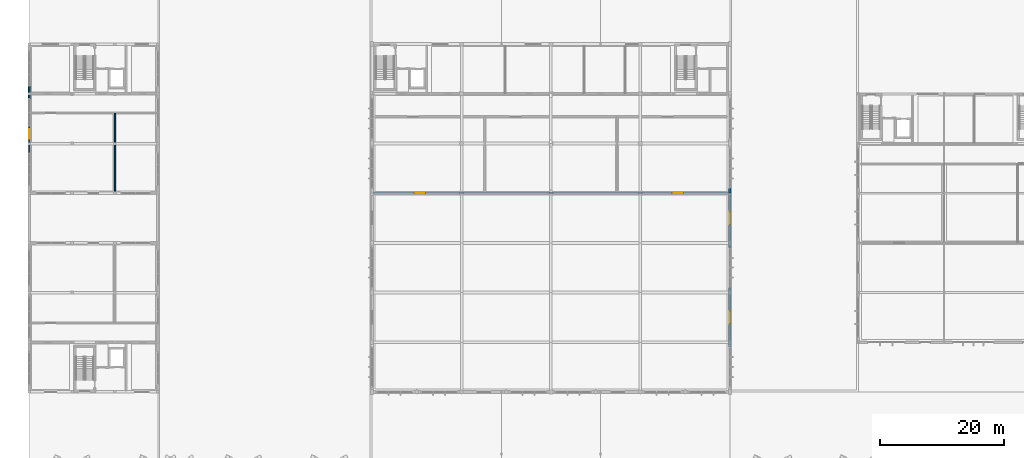
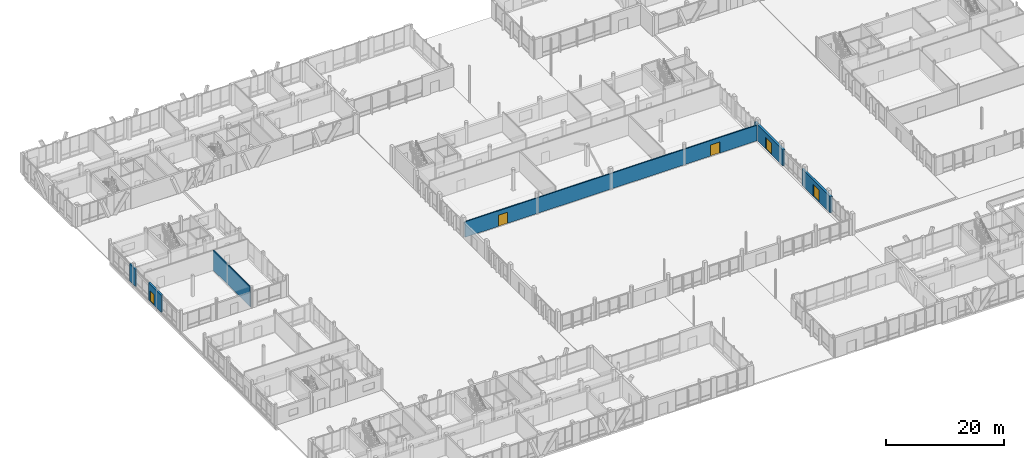
# One storey, part 195 of 233: 7 walls, 5 doors, 5 openings.
"""IFC4 building model written with IfcOpenShell, lengths in metres."""

import ifcopenshell
import ifcopenshell.guid

model = None  # the IFC model being written
_history = None  # IfcOwnerHistory: only IFC2X3 demands one
_inside = {}  # id of a spatial element -> (the spatial element, [elements in it])
_under = {}  # id of a project, library or spatial element -> (it, [spatial elements below it])
_declared = {}  # id of a project -> (the project, [libraries it declares])
_typed = {}  # id of a type object -> (the type object, [elements of that type])
_made_of = {}  # id of a material, layer set ... -> (it, [elements and type objects made of it])


def new_model(schema):
    """Start an empty IFC model of exactly this schema.

    Asked for "IFC4X3", IfcOpenShell would pick the latest addendum, in which some entities
    have other attributes; the version numbers below select the first issue.
    IFC2X3 requires an IfcOwnerHistory on every rooted entity: one is made here for all.
    """
    global model, _history
    if schema == "IFC4X3":
        model = ifcopenshell.file(schema_version=(4, 3, 0, 0))
    else:
        model = ifcopenshell.file(schema=schema)
    _inside.clear()
    _under.clear()
    _declared.clear()
    _typed.clear()
    _made_of.clear()
    _history = None
    if model.schema == "IFC2X3":
        org = make("IfcOrganization", Name="unknown")
        user = make(
            "IfcPersonAndOrganization",
            ThePerson=make("IfcPerson", FamilyName="unknown"),
            TheOrganization=org,
        )
        app = make(
            "IfcApplication",
            ApplicationDeveloper=org,
            Version="unknown",
            ApplicationFullName="unknown",
            ApplicationIdentifier="unknown",
        )
        _history = make(
            "IfcOwnerHistory",
            OwningUser=user,
            OwningApplication=app,
            ChangeAction="ADDED",
            CreationDate=0,
        )
    return model


def make(cls, **values):
    """One entity of the class cls with the attributes given. An attribute that is None is left unset."""
    return model.create_entity(
        cls, **{name: value for name, value in values.items() if value is not None}
    )


def rooted(cls, **values):
    """An entity with a GlobalId (a new one), such as an element, a storey or a relation."""
    return make(cls, GlobalId=ifcopenshell.guid.new(), OwnerHistory=_history, **values)


def si_unit(unit_type, name, prefix=None):
    """IfcSIUnit, for example si_unit("LENGTHUNIT", "METRE", prefix="MILLI")."""
    return make("IfcSIUnit", UnitType=unit_type, Prefix=prefix, Name=name)


def assignment(units):
    """IfcUnitAssignment: the units of a project."""
    return None if units is None else make("IfcUnitAssignment", Units=units)


def point(xyz):
    """IfcCartesianPoint."""
    return None if xyz is None else make("IfcCartesianPoint", Coordinates=xyz)


def direction(xyz):
    """IfcDirection."""
    return None if xyz is None else make("IfcDirection", DirectionRatios=xyz)


def frame(location, z_axis=None, x_axis=None):
    """IfcAxis2Placement3D, a coordinate frame: its origin and axes. An axis left out is left unset."""
    return make(
        "IfcAxis2Placement3D",
        Location=point(location),
        Axis=direction(z_axis),
        RefDirection=direction(x_axis),
    )


def frame_2d(location, x_axis=None):
    """IfcAxis2Placement2D, a coordinate frame in the plane: its origin and x axis."""
    return make(
        "IfcAxis2Placement2D", Location=point(location), RefDirection=direction(x_axis)
    )


def origin():
    """The frame at (0, 0, 0) with its axes left unset."""
    return frame((0.0, 0.0, 0.0))


def origin_with_axes():
    """The frame at (0, 0, 0) with the z axis (0, 0, 1) and the x axis (1, 0, 0) written out."""
    return frame((0.0, 0.0, 0.0), z_axis=(0.0, 0.0, 1.0), x_axis=(1.0, 0.0, 0.0))


def place(relative_to, where):
    """IfcLocalPlacement: puts the frame where relative to a parent placement (None: the world)."""
    return make(
        "IfcLocalPlacement", PlacementRelTo=relative_to, RelativePlacement=where
    )


def context(
    kind, dimensions, precision=None, world=None, true_north=None, identifier=None
):
    """IfcGeometricRepresentationContext, for example the 3D "Model" context."""
    return make(
        "IfcGeometricRepresentationContext",
        ContextIdentifier=identifier,
        ContextType=kind,
        CoordinateSpaceDimension=dimensions,
        Precision=precision,
        WorldCoordinateSystem=world,
        TrueNorth=true_north,
    )


def subcontext(parent, identifier, kind, view, scale=None):
    """IfcGeometricRepresentationSubContext, for example "Body" below "Model"."""
    return make(
        "IfcGeometricRepresentationSubContext",
        ContextIdentifier=identifier,
        ContextType=kind,
        ParentContext=parent,
        TargetScale=scale,
        TargetView=view,
    )


def project(units=None, contexts=None):
    """IfcProject with its units and contexts."""
    return rooted(
        "IfcProject",
        Name="project",
        RepresentationContexts=contexts,
        UnitsInContext=assignment(units),
    )


def spatial(cls, under=None, at=None, **own):
    """A site, building, storey or space (cls), placed at a placement, below another one or the project."""
    s = rooted(cls, ObjectPlacement=at, **own)
    if under is not None:
        _under.setdefault(under.id(), (under, []))[1].append(s)
    return s


def profile(cls, at=None, kind="AREA", **sizes):
    """A parametric profile (cls). Its sizes go by their IFC names, for example OverallWidth=200.0."""
    return make(cls, ProfileType=kind, Position=at, **sizes)


def rectangle(**sizes):
    """IfcRectangleProfileDef."""
    return profile("IfcRectangleProfileDef", **sizes)


def extrude(swept, where, along, depth):
    """IfcExtrudedAreaSolid: the profile swept, set in the frame where, extruded along a direction by depth."""
    return make(
        "IfcExtrudedAreaSolid",
        SweptArea=swept,
        Position=where,
        ExtrudedDirection=direction(along),
        Depth=depth,
    )


def shape(context_of_items, identifier, shape_type, items):
    """IfcShapeRepresentation: the items that make up one representation, for example the "Body"."""
    return make(
        "IfcShapeRepresentation",
        ContextOfItems=context_of_items,
        RepresentationIdentifier=identifier,
        RepresentationType=shape_type,
        Items=items,
    )


def material(Name=None, Category=None):
    """IfcMaterial."""
    return make("IfcMaterial", Name=Name, Category=Category)


def layer(
    of_material, thickness, ventilated=None, Name=None, Category=None, Priority=None
):
    """IfcMaterialLayer: one layer of a wall or slab, of a material (None: an air gap)."""
    return make(
        "IfcMaterialLayer",
        Material=of_material,
        LayerThickness=thickness,
        IsVentilated=ventilated,
        Name=Name,
        Category=Category,
        Priority=Priority,
    )


def layer_set(layers, Name=None):
    """IfcMaterialLayerSet."""
    return make("IfcMaterialLayerSet", MaterialLayers=layers, LayerSetName=Name)


def made_of(thing, what):
    """Note that an element or type object is made of a material, layer set ...; save() writes the relation."""
    if what is not None:
        _made_of.setdefault(what.id(), (what, []))[1].append(thing)
    return thing


def type_object(cls, material=None, **own):
    """A type object (cls), such as IfcWallType, which elements share."""
    return made_of(rooted(cls, **own), material)


def element(
    cls,
    number,
    at=None,
    inside=None,
    cuts=None,
    type_object=None,
    material=None,
    context=None,
    identifier="Body",
    shape_type=None,
    held_by="IfcProductDefinitionShape",
    body=None,
    shapes=None,
    **own,
):
    """One element of the class cls, such as IfcWall. Its Tag is "e" and its number.

    at: its placement. inside: the storey or other place that contains it. cuts: it is an
    opening in that element (IfcRelVoidsElement). A single representation is given by context,
    identifier, shape_type and body (its items); several are given by shapes. held_by: the class
    of the entity that holds the representations. save() writes the other relations.
    """
    e = rooted(cls, Tag="e%d" % number, ObjectPlacement=at, **own)
    if body is not None:
        shapes = [shape(context, identifier, shape_type, body)]
    if shapes is not None:
        e.Representation = make(held_by, Representations=shapes)
    if inside is not None:
        _inside.setdefault(inside.id(), (inside, []))[1].append(e)
    if cuts is not None:
        rooted(
            "IfcRelVoidsElement", RelatingBuildingElement=cuts, RelatedOpeningElement=e
        )
    if type_object is not None:
        _typed.setdefault(type_object.id(), (type_object, []))[1].append(e)
    return made_of(e, material)


def fill(opening, filler):
    """IfcRelFillsElement: the door or window that sits in an opening."""
    return rooted(
        "IfcRelFillsElement",
        RelatingOpeningElement=opening,
        RelatedBuildingElement=filler,
    )


def aggregate(whole, parts):
    """IfcRelAggregates: a whole, such as a stair, and the parts it consists of."""
    return rooted("IfcRelAggregates", RelatingObject=whole, RelatedObjects=parts)


def save(model, path):
    """Write the relations noted so far, then the file.

    IfcRelAggregates (storeys below a building ...), IfcRelContainedInSpatialStructure (elements
    in a storey), IfcRelDefinesByType, IfcRelAssociatesMaterial and IfcRelDeclares: one each for
    every whole, place, type object, material and project.
    """
    for whole, parts in _under.values():
        aggregate(whole, parts)
    for where, things in _inside.values():
        rooted(
            "IfcRelContainedInSpatialStructure",
            RelatedElements=things,
            RelatingStructure=where,
        )
    for kind, things in _typed.values():
        rooted("IfcRelDefinesByType", RelatedObjects=things, RelatingType=kind)
    for what, things in _made_of.values():
        rooted("IfcRelAssociatesMaterial", RelatedObjects=things, RelatingMaterial=what)
    for by, libraries in _declared.values():
        rooted("IfcRelDeclares", RelatingContext=by, RelatedDefinitions=libraries)
    model.write(path)


model = new_model("IFC4")

# Units and contexts
model_context = context("Model", 3, precision=1e-05, world=origin(), true_north=direction((0.0, 1.0)))
body_context = subcontext(model_context, "Body", "Model", "MODEL_VIEW")
ifc_project = project(units=[si_unit("LENGTHUNIT", "METRE"), si_unit("AREAUNIT", "SQUARE_METRE"), si_unit("VOLUMEUNIT", "CUBIC_METRE"), si_unit("PLANEANGLEUNIT", "RADIAN"), si_unit("MASSUNIT", "GRAM", prefix="KILO")], contexts=[model_context])

# Site, building, storey
site_placement = place(None, origin())
site = spatial("IfcSite", under=ifc_project, at=site_placement, CompositionType="ELEMENT")
building_placement = place(site_placement, origin())
building = spatial("IfcBuilding", under=site, at=building_placement, Name="Zavelmont Quarter", CompositionType="ELEMENT")
storey_placement = place(building_placement, origin())
storey = spatial("IfcBuildingStorey", under=building, at=storey_placement, Name="L00", CompositionType="ELEMENT", Elevation=0.0)

# Wall, opening, door
ifc_material_1 = material(Name="Natural Belgian limestone", Category="masonry")
ifc_layer_1 = layer(ifc_material_1, 0.419921875)
ifc_layer_set_1 = layer_set([ifc_layer_1], Name="Natural Belgian limestone")
wall_type_1 = type_object("IfcWallType", Name="EW04", PredefinedType="STANDARD", material=ifc_layer_set_1)
wall_1_placement = place(storey_placement, frame((112.800048828125, 37.199951171875, 0.0), z_axis=(0.0, 0.0, 1.0), x_axis=(0.0, 1.0, 0.0)))
wall_1 = element("IfcWall", 1, at=wall_1_placement, inside=storey, type_object=wall_type_1, Name="L00 exterior limestone wall EW04", PredefinedType="STANDARD", context=body_context, shape_type="SweptSolid", body=[
    extrude(rectangle(XDim=9.60009765625, YDim=0.419921875, at=frame_2d((4.800048828125, 0.0))), origin(), (0.0, 0.0, 1.0), 3.360107421875),
])
opening_1_placement = place(wall_1_placement, frame((3.800048828125, 0.0, 0.0)))
opening_1 = element("IfcOpeningElement", 2, at=opening_1_placement, cuts=wall_1, Name="Opening DR01A", PredefinedType="OPENING", context=body_context, shape_type="SweptSolid", body=[
    extrude(rectangle(XDim=2.0, YDim=2.449951171875, at=frame_2d((1.0, 1.22509765625))), frame((0.0, 0.221923828125, 0.0), z_axis=(0.0, -1.0, 0.0), x_axis=(1.0, 0.0, 0.0)), (0.0, 0.0, 1.0), 0.44384765625),
])
ifc_material_2 = material(Name="Powder-coated aluminium and tempered double safety glass", Category="aluminium")
door_type_1 = type_object("IfcDoorType", Name="DR01A", OperationType="DOUBLE_DOOR_SINGLE_SWING", PredefinedType="DOOR", material=ifc_material_2)
door_1_placement = place(opening_1_placement, frame((2.0, 0.0, 0.0), z_axis=(0.0, 0.0, 1.0), x_axis=(-1.0, 0.0, 0.0)))
door_1 = element("IfcDoor", 3, at=door_1_placement, inside=storey, type_object=door_type_1, Name="Community Hall East final exit door", OperationType="DOUBLE_DOOR_SINGLE_SWING", OverallHeight=2.449951171875, OverallWidth=2.0, PredefinedType="DOOR", context=body_context, shape_type="SweptSolid", body=[
    extrude(rectangle(XDim=2.0, YDim=2.449951171875, at=frame_2d((1.0, 1.22509765625))), frame((0.0, 0.02490234375, 0.0), z_axis=(0.0, -1.0, 0.0), x_axis=(1.0, 0.0, 0.0)), (0.0, 0.0, 1.0), 0.050048828125),
])
fill(opening_1, door_1)

wall_2_placement = place(storey_placement, frame((112.800048828125, 53.199951171875, 0.0), z_axis=(0.0, 0.0, 1.0), x_axis=(0.0, 1.0, 0.0)))
wall_2 = element("IfcWall", 4, at=wall_2_placement, inside=storey, type_object=wall_type_1, Name="L00 exterior limestone wall EW04", PredefinedType="STANDARD", context=body_context, shape_type="SweptSolid", body=[
    extrude(rectangle(XDim=8.800048828125, YDim=0.419921875, at=frame_2d((4.39990234375, 0.0))), origin(), (0.0, 0.0, 1.0), 3.360107421875),
])
opening_2_placement = place(wall_2_placement, frame((3.800048828125, 0.0, 0.0)))
opening_2 = element("IfcOpeningElement", 5, at=opening_2_placement, cuts=wall_2, Name="Opening DR01A", PredefinedType="OPENING", context=body_context, shape_type="SweptSolid", body=[
    extrude(rectangle(XDim=2.0, YDim=2.449951171875, at=frame_2d((1.0, 1.22509765625))), frame((0.0, 0.221923828125, 0.0), z_axis=(0.0, -1.0, 0.0), x_axis=(1.0, 0.0, 0.0)), (0.0, 0.0, 1.0), 0.44384765625),
])
door_2_placement = place(opening_2_placement, frame((2.0, 0.0, 0.0), z_axis=(0.0, 0.0, 1.0), x_axis=(-1.0, 0.0, 0.0)))
door_2 = element("IfcDoor", 6, at=door_2_placement, inside=storey, type_object=door_type_1, Name="Community Hall East final exit door", OperationType="DOUBLE_DOOR_SINGLE_SWING", OverallHeight=2.449951171875, OverallWidth=2.0, PredefinedType="DOOR", context=body_context, shape_type="SweptSolid", body=[
    extrude(rectangle(XDim=2.0, YDim=2.449951171875, at=frame_2d((1.0, 1.22509765625))), frame((0.0, 0.02490234375, 0.0), z_axis=(0.0, -1.0, 0.0), x_axis=(1.0, 0.0, 0.0)), (0.0, 0.0, 1.0), 0.050048828125),
])
fill(opening_2, door_2)

# Wall
wall_3_placement = place(storey_placement, frame((112.800048828125, 62.0, 0.0), z_axis=(0.0, 0.0, 1.0), x_axis=(0.0, 1.0, 0.0)))
element("IfcWall", 7, at=wall_3_placement, inside=storey, type_object=wall_type_1, Name="L00 exterior limestone wall EW04", PredefinedType="STANDARD", context=body_context, shape_type="SweptSolid", body=[
    extrude(rectangle(XDim=0.800048828125, YDim=0.419921875, at=frame_2d((0.39990234375, 0.0))), origin(), (0.0, 0.0, 1.0), 3.360107421875),
])

# Wall, opening, door
ifc_layer_2 = layer(ifc_material_1, 0.31005859375)
ifc_layer_set_2 = layer_set([ifc_layer_2], Name="Natural Belgian limestone")
wall_type_2 = type_object("IfcWallType", Name="EW06", PredefinedType="STANDARD", material=ifc_layer_set_2)
wall_4_placement = place(storey_placement, frame((0.0, 68.39990234375, 0.0), z_axis=(0.0, 0.0, 1.0), x_axis=(0.0, 1.0, 0.0)))
wall_4 = element("IfcWall", 8, at=wall_4_placement, inside=storey, type_object=wall_type_2, Name="L00 exterior limestone wall EW06", PredefinedType="STANDARD", context=body_context, shape_type="SweptSolid", body=[
    extrude(rectangle(XDim=4.400146484375, YDim=0.31005859375, at=frame_2d((2.2001953125, 0.0))), origin(), (0.0, 0.0, 1.0), 3.56005859375),
])
opening_3_placement = place(wall_4_placement, frame((2.39990234375, 0.0, 0.0)))
opening_3 = element("IfcOpeningElement", 9, at=opening_3_placement, cuts=wall_4, Name="Opening DR01C", PredefinedType="OPENING", context=body_context, shape_type="SweptSolid", body=[
    extrude(rectangle(XDim=1.5, YDim=2.199951171875, at=frame_2d((0.75, 1.10009765625))), frame((0.0, 0.1669921875, 0.0), z_axis=(0.0, -1.0, 0.0), x_axis=(1.0, 0.0, 0.0)), (0.0, 0.0, 1.0), 0.333984375),
])
door_type_2 = type_object("IfcDoorType", Name="DR01C", OperationType="DOUBLE_DOOR_SINGLE_SWING", PredefinedType="DOOR", material=ifc_material_2)
door_3_placement = place(opening_3_placement, origin_with_axes())
door_3 = element("IfcDoor", 10, at=door_3_placement, inside=storey, type_object=door_type_2, Name="Cooperative Market street entrance", OperationType="DOUBLE_DOOR_SINGLE_SWING", OverallHeight=2.199951171875, OverallWidth=1.5, PredefinedType="DOOR", context=body_context, shape_type="SweptSolid", body=[
    extrude(rectangle(XDim=1.5, YDim=2.199951171875, at=frame_2d((0.75, 1.10009765625))), frame((0.0, 0.02490234375, 0.0), z_axis=(0.0, -1.0, 0.0), x_axis=(1.0, 0.0, 0.0)), (0.0, 0.0, 1.0), 0.050048828125),
])
fill(opening_3, door_3)

# Walls
wall_5_placement = place(storey_placement, frame((0.0, 77.199951171875, 0.0), z_axis=(0.0, 0.0, 1.0), x_axis=(0.0, 1.0, 0.0)))
element("IfcWall", 11, at=wall_5_placement, inside=storey, type_object=wall_type_2, Name="L00 exterior limestone wall EW06", PredefinedType="STANDARD", context=body_context, shape_type="SweptSolid", body=[
    extrude(rectangle(XDim=2.0, YDim=0.31005859375, at=frame_2d((1.0, 0.0))), origin(), (0.0, 0.0, 1.0), 3.56005859375),
])
ifc_material_3 = material(Name="Calcium-silicate blockwork and acoustic plaster", Category="masonry")
ifc_layer_3 = layer(ifc_material_3, 0.199951171875)
ifc_layer_set_3 = layer_set([ifc_layer_3], Name="Calcium-silicate blockwork and acoustic plaster")
wall_type_3 = type_object("IfcWallType", Name="IW01", PredefinedType="PARTITIONING", material=ifc_layer_set_3)
wall_6_placement = place(storey_placement, frame((13.800048828125, 62.300048828125, 0.0), z_axis=(0.0, 0.0, 1.0), x_axis=(0.0, 1.0, 0.0)))
element("IfcWall", 12, at=wall_6_placement, inside=storey, type_object=wall_type_3, Name="L00 Interior partition IW01", PredefinedType="PARTITIONING", context=body_context, shape_type="SweptSolid", body=[
    extrude(rectangle(XDim=12.599853515625, YDim=0.199951171875, at=frame_2d((6.2998046875, 0.0))), origin(), (0.0, 0.0, 1.0), 4.1201171875),
])

# Wall, openings, doors
ifc_material_4 = material(Name="Reinforced masonry fire compartment wall", Category="masonry")
ifc_layer_4 = layer(ifc_material_4, 0.22509765625)
ifc_layer_set_4 = layer_set([ifc_layer_4], Name="Reinforced masonry fire compartment wall")
wall_type_4 = type_object("IfcWallType", Name="IW02", PredefinedType="PARTITIONING", material=ifc_layer_set_4)
wall_7_placement = place(storey_placement, frame((55.5, 62.0, 0.0), z_axis=(0.0, 0.0, 1.0), x_axis=(1.0, 0.0, 0.0)))
wall_7 = element("IfcWall", 13, at=wall_7_placement, inside=storey, type_object=wall_type_4, Name="L00 Interior partition IW02", PredefinedType="PARTITIONING", context=body_context, shape_type="SweptSolid", body=[
    extrude(rectangle(XDim=57.0, YDim=0.22509765625, at=frame_2d((28.5, 0.0))), origin(), (0.0, 0.0, 1.0), 3.2099609375),
])
opening_4_placement = place(wall_7_placement, frame((6.5, 0.0, 0.0)))
opening_4 = element("IfcOpeningElement", 14, at=opening_4_placement, cuts=wall_7, Name="Opening DR14", PredefinedType="OPENING", context=body_context, shape_type="SweptSolid", body=[
    extrude(rectangle(XDim=1.800048828125, YDim=2.300048828125, at=frame_2d((0.89990234375, 1.14990234375))), frame((0.0, 0.12451171875, 0.0), z_axis=(0.0, -1.0, 0.0), x_axis=(1.0, 0.0, 0.0)), (0.0, 0.0, 1.0), 0.2490234375),
])
opening_5_placement = place(wall_7_placement, frame((48.0, 0.0, 0.0)))
opening_5 = element("IfcOpeningElement", 15, at=opening_5_placement, cuts=wall_7, Name="Opening DR14", PredefinedType="OPENING", context=body_context, shape_type="SweptSolid", body=[
    extrude(rectangle(XDim=1.800048828125, YDim=2.300048828125, at=frame_2d((0.89990234375, 1.14990234375))), frame((0.0, 0.12451171875, 0.0), z_axis=(0.0, -1.0, 0.0), x_axis=(1.0, 0.0, 0.0)), (0.0, 0.0, 1.0), 0.2490234375),
])
ifc_material_5 = material(Name="Assembly hall fire door pair")
door_type_3 = type_object("IfcDoorType", Name="DR14", OperationType="DOUBLE_DOOR_SINGLE_SWING", PredefinedType="DOOR", material=ifc_material_5)
door_4_placement = place(opening_4_placement, origin_with_axes())
door_4 = element("IfcDoor", 16, at=door_4_placement, inside=storey, type_object=door_type_3, Name="L00 door DR14", OperationType="DOUBLE_DOOR_SINGLE_SWING", OverallHeight=2.300048828125, OverallWidth=1.800048828125, PredefinedType="DOOR", context=body_context, shape_type="SweptSolid", body=[
    extrude(rectangle(XDim=1.800048828125, YDim=2.300048828125, at=frame_2d((0.89990234375, 1.14990234375))), frame((0.0, 0.02490234375, 0.0), z_axis=(0.0, -1.0, 0.0), x_axis=(1.0, 0.0, 0.0)), (0.0, 0.0, 1.0), 0.050048828125),
])
fill(opening_4, door_4)
door_5_placement = place(opening_5_placement, frame((1.800048828125, 0.0, 0.0), z_axis=(0.0, 0.0, 1.0), x_axis=(-1.0, 0.0, 0.0)))
door_5 = element("IfcDoor", 17, at=door_5_placement, inside=storey, type_object=door_type_3, Name="L00 door DR14", OperationType="DOUBLE_DOOR_SINGLE_SWING", OverallHeight=2.300048828125, OverallWidth=1.800048828125, PredefinedType="DOOR", context=body_context, shape_type="SweptSolid", body=[
    extrude(rectangle(XDim=1.800048828125, YDim=2.300048828125, at=frame_2d((0.89990234375, 1.14990234375))), frame((0.0, 0.02490234375, 0.0), z_axis=(0.0, -1.0, 0.0), x_axis=(1.0, 0.0, 0.0)), (0.0, 0.0, 1.0), 0.050048828125),
])
fill(opening_5, door_5)

save(model, "model.ifc")
